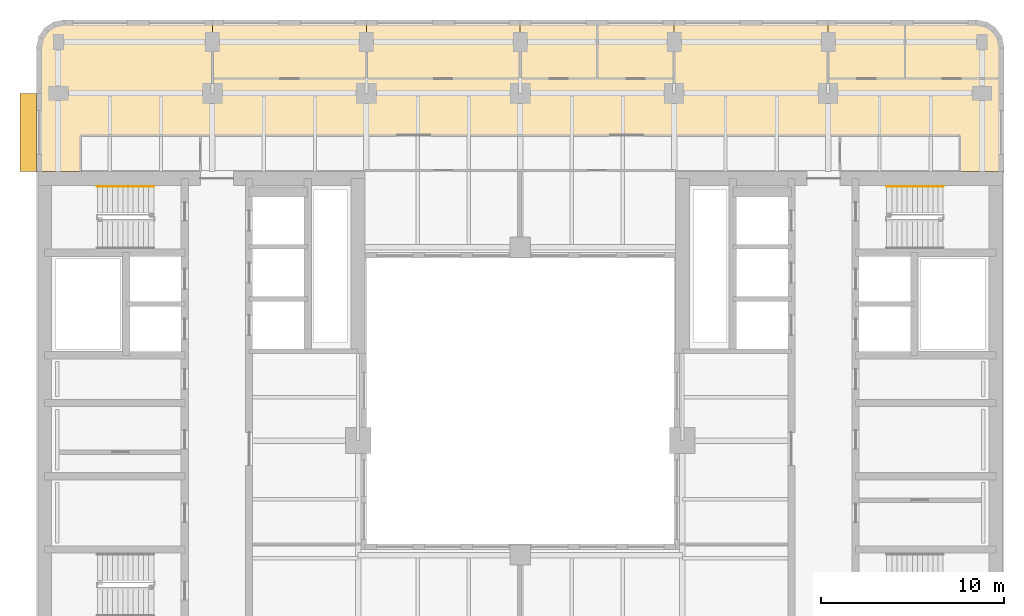
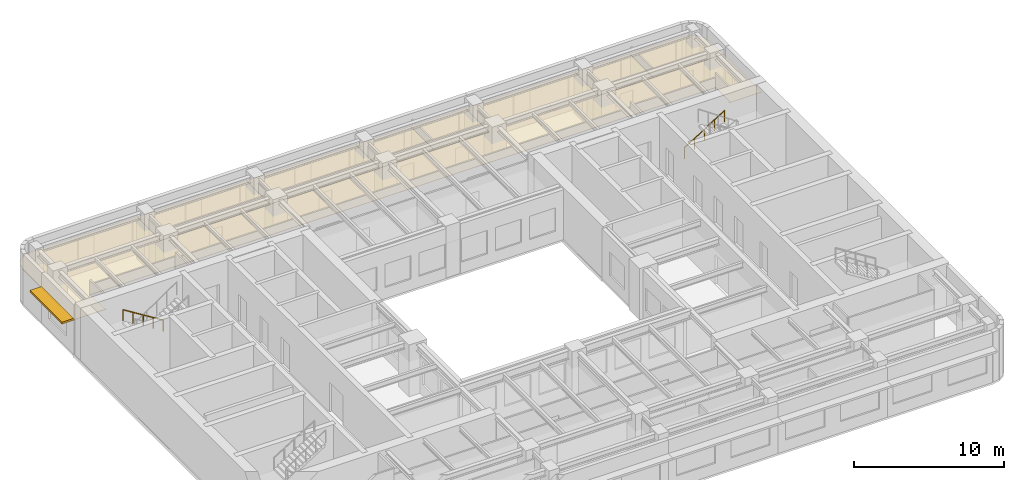
# One storey, part 11 of 11: 7 coverings, 2 railings, 1 shading device.
"""IFC4 building model written with IfcOpenShell, lengths in metres."""

from ifc_helpers import new_model, si_unit, direction, frame, origin, origin_2d, place, context, subcontext, project, spatial, polyline, rectangle, circle, outline, extrude, material, layer, layer_set, type_object, element, save


model = new_model("IFC4")

# Units and contexts
model_context = context("Model", 3, precision=1e-05, world=origin(), true_north=direction((0.0, 1.0)))
body_context = subcontext(model_context, "Body", "Model", "MODEL_VIEW")
ifc_project = project(units=[si_unit("LENGTHUNIT", "METRE"), si_unit("AREAUNIT", "SQUARE_METRE"), si_unit("VOLUMEUNIT", "CUBIC_METRE"), si_unit("PLANEANGLEUNIT", "RADIAN"), si_unit("MASSUNIT", "GRAM", prefix="KILO")], contexts=[model_context])

# Site, building, storey
site_placement = place(None, origin())
site = spatial("IfcSite", under=ifc_project, at=site_placement, CompositionType="ELEMENT")
building_placement = place(site_placement, origin())
building = spatial("IfcBuilding", under=site, at=building_placement, Name="Claustro Exchange Tower", CompositionType="ELEMENT")
storey_placement = place(building_placement, frame((0.0, 0.0, 232.199951171875)))
storey = spatial("IfcBuildingStorey", under=building, at=storey_placement, Name="L53", CompositionType="ELEMENT", Elevation=232.199951171875)

# Coverings
ifc_material_1 = material(Name="Perforated metal ceiling tiles", Category="steel")
ifc_layer_1 = layer(ifc_material_1, 0.030029296875)
ifc_layer_set_1 = layer_set([ifc_layer_1], Name="Perforated metal ceiling tiles")
covering_type_1 = type_object("IfcCoveringType", Name="CL1 suspended metal ceiling", PredefinedType="CEILING", material=ifc_layer_set_1)
covering_1_placement = place(storey_placement, frame((0.0, 0.0, 2.800048828125)))
element("IfcCovering", 1, at=covering_1_placement, inside=storey, type_object=covering_type_1, Name="Ceiling CL1 L53-20", PredefinedType="CEILING", context=body_context, shape_type="SweptSolid", body=[
    extrude(outline(polyline([(-1.125, 37.72509765625), (1.294921875, 37.72509765625), (1.294921875, 37.800048828125), (1.199951171875, 37.800048828125), (1.199951171875, 39.699951171875), (49.199951171875, 39.699951171875), (49.199951171875, 37.800048828125), (49.10498046875, 37.800048828125), (49.10498046875, 37.72509765625), (51.52490234375, 37.72509765625), (51.52490234375, 37.705078125), (51.60009765625, 37.705078125), (51.60009765625, 42.800048828125), (42.0, 42.800048828125), (42.0, 46.0), (33.60009765625, 46.0), (33.60009765625, 42.800048828125), (8.39990234375, 42.800048828125), (8.39990234375, 46.0), (0.300048828125, 46.0), (-0.27392578125, 45.8857421875), (-0.7607421875, 45.560791015625), (-1.085693359375, 45.073974609375), (-1.199951171875, 44.5), (-1.199951171875, 37.705078125), (-1.125, 37.705078125), (-1.125, 37.72509765625)])), origin(), (0.0, 0.0, 1.0), 0.030029296875),
])
ifc_material_2 = material(Name="Gypsum board ceiling", Category="gypsum board")
ifc_layer_2 = layer(ifc_material_2, 0.02490234375)
ifc_layer_set_2 = layer_set([ifc_layer_2], Name="Gypsum board ceiling")
covering_type_2 = type_object("IfcCoveringType", Name="CL2 plasterboard ceiling", PredefinedType="CEILING", material=ifc_layer_set_2)
covering_2_placement = place(storey_placement, frame((0.0, 0.0, 2.800048828125)))
element("IfcCovering", 2, at=covering_2_placement, inside=storey, type_object=covering_type_2, Name="Ceiling CL2 L53-21", PredefinedType="CEILING", context=body_context, shape_type="SweptSolid", body=[
    extrude(outline(polyline([(16.800048828125, 46.0), (8.39990234375, 46.0), (8.39990234375, 42.800048828125), (16.800048828125, 42.800048828125), (16.800048828125, 46.0)])), origin(), (0.0, 0.0, 1.0), 0.02490234375),
])
covering_3_placement = place(storey_placement, frame((0.0, 0.0, 2.800048828125)))
element("IfcCovering", 3, at=covering_3_placement, inside=storey, type_object=covering_type_2, Name="Ceiling CL2 L53-22", PredefinedType="CEILING", context=body_context, shape_type="SweptSolid", body=[
    extrude(outline(polyline([(25.199951171875, 46.0), (16.800048828125, 46.0), (16.800048828125, 42.800048828125), (25.199951171875, 42.800048828125), (25.199951171875, 46.0)])), origin(), (0.0, 0.0, 1.0), 0.02490234375),
])
covering_4_placement = place(storey_placement, frame((0.0, 0.0, 2.800048828125)))
element("IfcCovering", 4, at=covering_4_placement, inside=storey, type_object=covering_type_2, Name="Ceiling CL2 L53-23", PredefinedType="CEILING", context=body_context, shape_type="SweptSolid", body=[
    extrude(outline(polyline([(29.39990234375, 46.0), (25.199951171875, 46.0), (25.199951171875, 42.800048828125), (29.39990234375, 42.800048828125), (29.39990234375, 46.0)])), origin(), (0.0, 0.0, 1.0), 0.02490234375),
])
covering_5_placement = place(storey_placement, frame((0.0, 0.0, 2.800048828125)))
element("IfcCovering", 5, at=covering_5_placement, inside=storey, type_object=covering_type_2, Name="Ceiling CL2 L53-24", PredefinedType="CEILING", context=body_context, shape_type="SweptSolid", body=[
    extrude(outline(polyline([(33.60009765625, 46.0), (29.39990234375, 46.0), (29.39990234375, 42.800048828125), (33.60009765625, 42.800048828125), (33.60009765625, 46.0)])), origin(), (0.0, 0.0, 1.0), 0.02490234375),
])
covering_6_placement = place(storey_placement, frame((0.0, 0.0, 2.800048828125)))
element("IfcCovering", 6, at=covering_6_placement, inside=storey, type_object=covering_type_2, Name="Ceiling CL2 L53-25", PredefinedType="CEILING", context=body_context, shape_type="SweptSolid", body=[
    extrude(outline(polyline([(46.199951171875, 46.0), (42.0, 46.0), (42.0, 42.800048828125), (46.199951171875, 42.800048828125), (46.199951171875, 46.0)])), origin(), (0.0, 0.0, 1.0), 0.02490234375),
])
covering_7_placement = place(storey_placement, frame((0.0, 0.0, 2.800048828125)))
element("IfcCovering", 7, at=covering_7_placement, inside=storey, type_object=covering_type_2, Name="Ceiling CL2 L53-26", PredefinedType="CEILING", context=body_context, shape_type="SweptSolid", body=[
    extrude(outline(polyline([(50.10009765625, 46.0), (46.199951171875, 46.0), (46.199951171875, 42.800048828125), (51.60009765625, 42.800048828125), (51.60009765625, 44.5), (51.48583984375, 45.073974609375), (51.16064453125, 45.560791015625), (50.674072265625, 45.8857421875), (50.10009765625, 46.0)])), origin(), (0.0, 0.0, 1.0), 0.02490234375),
])

# Railings
ifc_material_3 = material(Name="Stainless steel tube", Category="steel")
railing_type = type_object("IfcRailingType", Name="HR1 900 stair handrail", PredefinedType="HANDRAIL", material=ifc_material_3)
railing_1_placement = place(storey_placement, frame((5.199951171875, 36.9150390625, 0.175048828125)))
element("IfcRailing", 8, at=railing_1_placement, inside=storey, type_object=railing_type, Name="Handrail HR1 stair STWB L53", PredefinedType="HANDRAIL", context=body_context, shape_type="SweptSolid", body=[
    extrude(circle(Radius=0.02392578125, at=origin_2d()), frame((0.0, 0.0, 0.8759765625), z_axis=(-0.847979421464, 0.0, 0.530029150871), x_axis=(0.0, -1.0, 0.0)), (0.0, 0.0, 1.0), 3.632080078125),
    extrude(circle(Radius=0.02099609375, at=origin_2d()), origin(), (0.0, 0.0, 1.0), 0.851806640625),
    extrude(circle(Radius=0.02099609375, at=origin_2d()), frame((-0.77001953125, 0.0, 0.481201171875)), (0.0, 0.0, 1.0), 0.851806640625),
    extrude(circle(Radius=0.02099609375, at=origin_2d()), frame((-1.5400390625, 0.0, 0.96240234375)), (0.0, 0.0, 1.0), 0.851806640625),
    extrude(circle(Radius=0.02099609375, at=origin_2d()), frame((-2.309814453125, 0.0, 1.44384765625)), (0.0, 0.0, 1.0), 0.851806640625),
    extrude(circle(Radius=0.02099609375, at=origin_2d()), frame((-3.079833984375, 0.0, 1.925048828125)), (0.0, 0.0, 1.0), 0.851806640625),
])
railing_2_placement = place(storey_placement, frame((45.199951171875, 36.9150390625, 0.175048828125)))
element("IfcRailing", 9, at=railing_2_placement, inside=storey, type_object=railing_type, Name="Handrail HR1 stair STEB L53", PredefinedType="HANDRAIL", context=body_context, shape_type="SweptSolid", body=[
    extrude(circle(Radius=0.02392578125, at=origin_2d()), frame((0.0, 0.0, 0.8759765625), z_axis=(0.847998304005, 0.0, 0.529998940003), x_axis=(0.0, 1.0, 0.0)), (0.0, 0.0, 1.0), 3.632080078125),
    extrude(circle(Radius=0.02099609375, at=origin_2d()), origin(), (0.0, 0.0, 1.0), 0.851806640625),
    extrude(circle(Radius=0.02099609375, at=origin_2d()), frame((0.77001953125, 0.0, 0.481201171875)), (0.0, 0.0, 1.0), 0.851806640625),
    extrude(circle(Radius=0.02099609375, at=origin_2d()), frame((1.5400390625, 0.0, 0.96240234375)), (0.0, 0.0, 1.0), 0.851806640625),
    extrude(circle(Radius=0.02099609375, at=origin_2d()), frame((2.31005859375, 0.0, 1.44384765625)), (0.0, 0.0, 1.0), 0.851806640625),
    extrude(circle(Radius=0.02099609375, at=origin_2d()), frame((3.080078125, 0.0, 1.925048828125)), (0.0, 0.0, 1.0), 0.851806640625),
])

# Shading device
ifc_material_4 = material(Name="Concrete HA-40 (C40/50), precast, white cement, acid-etched", Category="concrete")
ifc_layer_3 = layer(ifc_material_4, 0.14990234375)
ifc_layer_set_3 = layer_set([ifc_layer_3], Name="Concrete HA-40 (C40/50), precast, white cement, acid-etched")
shading_device_type = type_object("IfcShadingDeviceType", Name="SS2 900 precast concrete SUNSHADE", PredefinedType="SHUTTER", material=ifc_layer_set_3)
shading_device_placement = place(storey_placement, frame((-1.64990234375, 39.862548828125, 2.800048828125), z_axis=(0.0, 0.0, 1.0), x_axis=(0.0, 1.0, 0.0)))
element("IfcShadingDevice", 10, at=shading_device_placement, inside=storey, type_object=shading_device_type, Name="Precast SUNSHADE SS2 L53", PredefinedType="SHUTTER", context=body_context, shape_type="SweptSolid", body=[
    extrude(rectangle(XDim=4.27490234375, YDim=0.89990234375, at=origin_2d()), origin(), (0.0, 0.0, 1.0), 0.14990234375),
])

save(model, "model.ifc")
